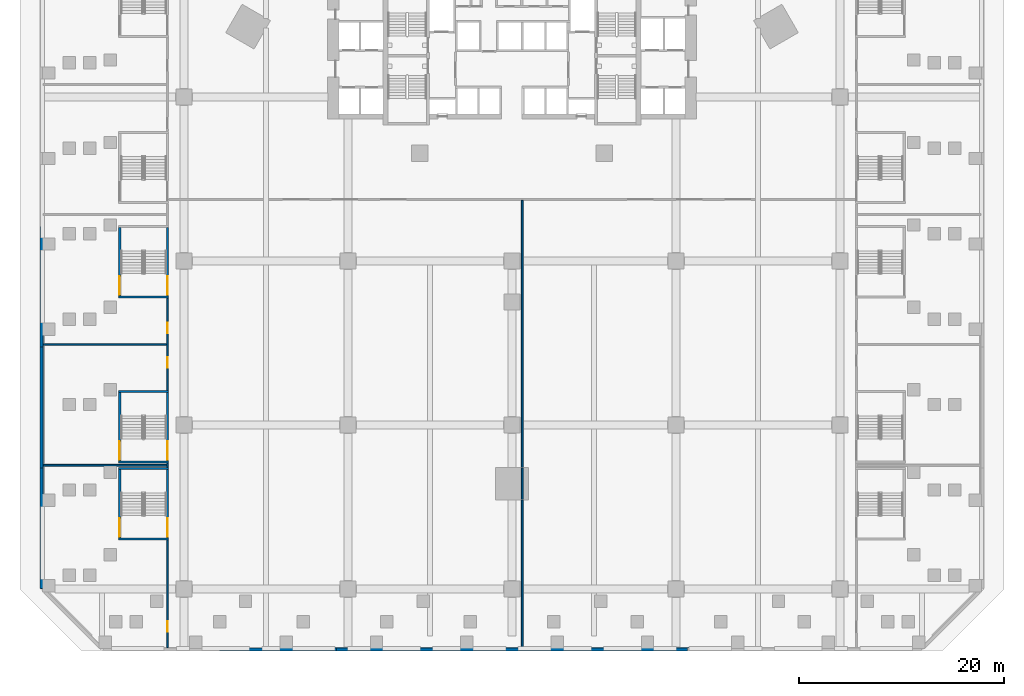
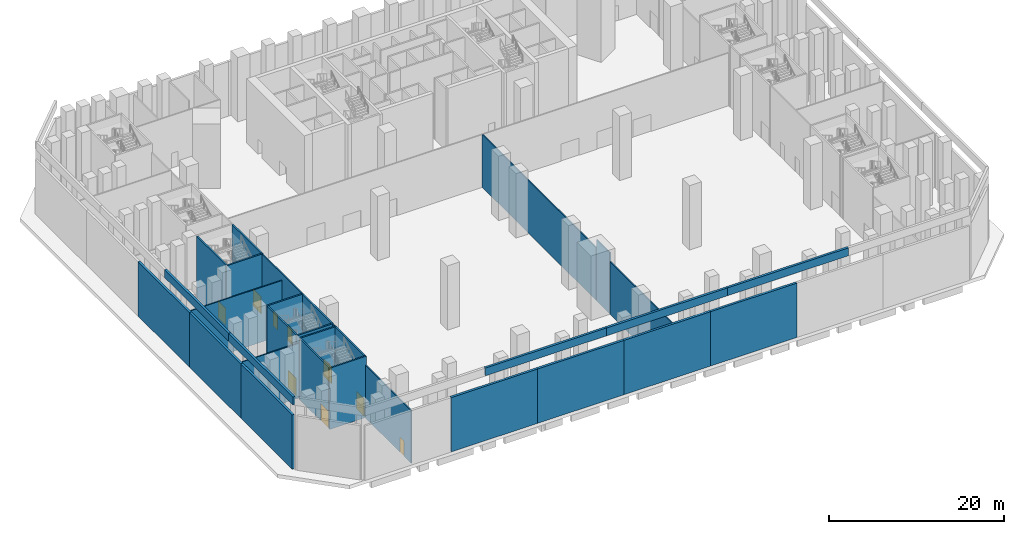
# One storey, part 5 of 25: 31 walls, 9 doors, 9 openings.
"""IFC4 building model written with IfcOpenShell, lengths in metres."""

from ifc_helpers import new_model, si_unit, direction, frame, frame_2d, origin, place, context, subcontext, project, spatial, rectangle, extrude, material, layer, layer_set, type_object, element, fill, save


model = new_model("IFC4")

# Units and contexts
model_context = context("Model", 3, precision=1e-05, world=origin(), true_north=direction((0.0, 1.0)))
body_context = subcontext(model_context, "Body", "Model", "MODEL_VIEW")
ifc_project = project(units=[si_unit("LENGTHUNIT", "METRE"), si_unit("AREAUNIT", "SQUARE_METRE"), si_unit("VOLUMEUNIT", "CUBIC_METRE"), si_unit("PLANEANGLEUNIT", "RADIAN"), si_unit("MASSUNIT", "GRAM", prefix="KILO")], contexts=[model_context])

# Site, building, storey
site_placement = place(None, origin())
site = spatial("IfcSite", under=ifc_project, at=site_placement, CompositionType="ELEMENT")
building_placement = place(site_placement, origin())
building = spatial("IfcBuilding", under=site, at=building_placement, Name="Calabash Gate Tower", CompositionType="ELEMENT")
storey_placement = place(building_placement, frame((0.0, 0.0, 20.0)))
storey = spatial("IfcBuildingStorey", under=building, at=storey_placement, Name="L02", CompositionType="ELEMENT", Elevation=20.0)

# Wall, opening, door
ifc_material_1 = material(Name="Gypsum board on steel studs, mineral wool", Category="steel")
ifc_layer_1 = layer(ifc_material_1, 0.14990234375)
ifc_layer_set_1 = layer_set([ifc_layer_1], Name="Partition 150 gypsum board")
wall_type_1 = type_object("IfcWallType", Name="Partition 150 gypsum board", PredefinedType="PARTITIONING", material=ifc_layer_set_1)
wall_1_placement = place(storey_placement, frame((-33.60009765625, -45.719970703125, 0.0), z_axis=(0.0, 0.0, 1.0), x_axis=(0.0, 1.0, 0.0)))
wall_1 = element("IfcWall", 1, at=wall_1_placement, inside=storey, type_object=wall_type_1, Name="Partition", PredefinedType="PARTITIONING", context=body_context, shape_type="SweptSolid", body=[
    extrude(rectangle(XDim=10.47998046875, YDim=0.14990234375, at=frame_2d((5.239990234375, 0.0))), origin(), (0.0, 0.0, 1.0), 7.35009765625),
])
opening_1_placement = place(wall_1_placement, frame((1.570068359375, 0.0, 0.0)))
opening_1 = element("IfcOpeningElement", 2, at=opening_1_placement, cuts=wall_1, Name="Opening L02-051", PredefinedType="OPENING", context=body_context, shape_type="SweptSolid", body=[
    extrude(rectangle(XDim=1.0, YDim=2.10009765625, at=frame_2d((0.5, 1.050048828125))), frame((0.0, 0.0849609375, 0.0), z_axis=(0.0, -1.0, 0.0), x_axis=(1.0, 0.0, 0.0)), (0.0, 0.0, 1.0), 0.169921875),
])
ifc_material_2 = material(Name="Steel fire door set with fire-resisting glazing", Category="steel")
door_type_1 = type_object("IfcDoorType", Name="Fire door D11 1000x2100 FD60", OperationType="NOTDEFINED", PredefinedType="DOOR", material=ifc_material_2)
door_1_placement = place(opening_1_placement, origin())
door_1 = element("IfcDoor", 3, at=door_1_placement, inside=storey, type_object=door_type_1, Name="Banquet Kitchen door", OperationType="SINGLE_SWING_LEFT", OverallHeight=2.10009765625, OverallWidth=1.0, PredefinedType="DOOR", context=body_context, shape_type="SweptSolid", body=[
    extrude(rectangle(XDim=1.0, YDim=2.10009765625, at=frame_2d((0.5, 1.050048828125))), frame((0.0, 0.02490234375, 0.0), z_axis=(0.0, -1.0, 0.0), x_axis=(1.0, 0.0, 0.0)), (0.0, 0.0, 1.0), 0.050048828125),
])
fill(opening_1, door_1)

# Walls
wall_2_placement = place(storey_placement, frame((1.0, -45.719970703125, 0.0), z_axis=(0.0, 0.0, 1.0), x_axis=(0.0, 1.0, 0.0)))
element("IfcWall", 4, at=wall_2_placement, inside=storey, type_object=wall_type_1, Name="Partition", PredefinedType="PARTITIONING", context=body_context, shape_type="SweptSolid", body=[
    extrude(rectangle(XDim=14.386962890625, YDim=0.14990234375, at=frame_2d((7.193359375, 0.0))), origin(), (0.0, 0.0, 1.0), 7.35009765625),
])
wall_3_placement = place(storey_placement, frame((1.0, -28.133056640625, 0.0), z_axis=(0.0, 0.0, 1.0), x_axis=(0.0, 1.0, 0.0)))
element("IfcWall", 5, at=wall_3_placement, inside=storey, type_object=wall_type_1, Name="Partition", PredefinedType="PARTITIONING", context=body_context, shape_type="SweptSolid", body=[
    extrude(rectangle(XDim=26.05810546875, YDim=0.14990234375, at=frame_2d((13.029052734375, 0.0))), origin(), (0.0, 0.0, 1.0), 7.35009765625),
])
wall_4_placement = place(storey_placement, frame((-33.60009765625, -28.110107421875, 0.0), z_axis=(0.0, 0.0, 1.0), x_axis=(0.0, 1.0, 0.0)))
element("IfcWall", 6, at=wall_4_placement, inside=storey, type_object=wall_type_1, Name="Partition", PredefinedType="PARTITIONING", context=body_context, shape_type="SweptSolid", body=[
    extrude(rectangle(XDim=0.3701171875, YDim=0.14990234375, at=frame_2d((0.18505859375, 0.0))), origin(), (0.0, 0.0, 1.0), 8.550048828125),
])
wall_5_placement = place(storey_placement, frame((-45.719970703125, -27.925048828125, 0.0), z_axis=(0.0, 0.0, 1.0), x_axis=(1.0, 0.0, 0.0)))
element("IfcWall", 7, at=wall_5_placement, inside=storey, type_object=wall_type_1, Name="Partition", PredefinedType="PARTITIONING", context=body_context, shape_type="SweptSolid", body=[
    extrude(rectangle(XDim=12.044921875, YDim=0.14990234375, at=frame_2d((6.0224609375, 0.0))), origin(), (0.0, 0.0, 1.0), 7.64990234375),
])

# Wall, openings, doors
wall_6_placement = place(storey_placement, frame((-33.60009765625, -20.610107421875, 0.0), z_axis=(0.0, 0.0, 1.0), x_axis=(0.0, 1.0, 0.0)))
wall_6 = element("IfcWall", 8, at=wall_6_placement, inside=storey, type_object=wall_type_1, Name="Partition", PredefinedType="PARTITIONING", context=body_context, shape_type="SweptSolid", body=[
    extrude(rectangle(XDim=8.97021484375, YDim=0.14990234375, at=frame_2d((4.485107421875, 0.0))), origin(), (0.0, 0.0, 1.0), 8.550048828125),
])
opening_2_placement = place(wall_6_placement, frame((2.2109375, 0.0, 0.0)))
opening_2 = element("IfcOpeningElement", 9, at=opening_2_placement, cuts=wall_6, Name="Opening L02-052", PredefinedType="OPENING", context=body_context, shape_type="SweptSolid", body=[
    extrude(rectangle(XDim=1.0, YDim=2.10009765625, at=frame_2d((0.5, 1.050048828125))), frame((0.0, 0.0849609375, 0.0), z_axis=(0.0, -1.0, 0.0), x_axis=(1.0, 0.0, 0.0)), (0.0, 0.0, 1.0), 0.169921875),
])
opening_3_placement = place(wall_6_placement, frame((5.5849609375, 0.0, 0.0)))
opening_3 = element("IfcOpeningElement", 10, at=opening_3_placement, cuts=wall_6, Name="Opening L02-053", PredefinedType="OPENING", context=body_context, shape_type="SweptSolid", body=[
    extrude(rectangle(XDim=1.0, YDim=2.10009765625, at=frame_2d((0.5, 1.050048828125))), frame((0.0, 0.0849609375, 0.0), z_axis=(0.0, -1.0, 0.0), x_axis=(1.0, 0.0, 0.0)), (0.0, 0.0, 1.0), 0.169921875),
])
door_2_placement = place(opening_2_placement, origin())
door_2 = element("IfcDoor", 11, at=door_2_placement, inside=storey, type_object=door_type_1, Name="Banquet Store door", OperationType="SINGLE_SWING_LEFT", OverallHeight=2.10009765625, OverallWidth=1.0, PredefinedType="DOOR", context=body_context, shape_type="SweptSolid", body=[
    extrude(rectangle(XDim=1.0, YDim=2.10009765625, at=frame_2d((0.5, 1.050048828125))), frame((0.0, 0.02490234375, 0.0), z_axis=(0.0, -1.0, 0.0), x_axis=(1.0, 0.0, 0.0)), (0.0, 0.0, 1.0), 0.050048828125),
])
fill(opening_2, door_2)
door_3_placement = place(opening_3_placement, origin())
door_3 = element("IfcDoor", 12, at=door_3_placement, inside=storey, type_object=door_type_1, Name="Dish Wash Room door", OperationType="SINGLE_SWING_RIGHT", OverallHeight=2.10009765625, OverallWidth=1.0, PredefinedType="DOOR", context=body_context, shape_type="SweptSolid", body=[
    extrude(rectangle(XDim=1.0, YDim=2.10009765625, at=frame_2d((0.5, 1.050048828125))), frame((0.0, 0.02490234375, 0.0), z_axis=(0.0, -1.0, 0.0), x_axis=(1.0, 0.0, 0.0)), (0.0, 0.0, 1.0), 0.050048828125),
])
fill(opening_3, door_3)

# Walls
wall_7_placement = place(storey_placement, frame((-45.719970703125, -16.125, 0.0), z_axis=(0.0, 0.0, 1.0), x_axis=(1.0, 0.0, 0.0)))
element("IfcWall", 13, at=wall_7_placement, inside=storey, type_object=wall_type_1, Name="Partition", PredefinedType="PARTITIONING", context=body_context, shape_type="SweptSolid", body=[
    extrude(rectangle(XDim=12.044921875, YDim=0.14990234375, at=frame_2d((6.0224609375, 0.0))), origin(), (0.0, 0.0, 1.0), 7.64990234375),
])
wall_8_placement = place(storey_placement, frame((1.0, -31.2529296875, 0.0), z_axis=(0.0, 0.0, 1.0), x_axis=(0.0, 1.0, 0.0)))
element("IfcWall", 14, at=wall_8_placement, inside=storey, type_object=wall_type_1, Name="Partition", PredefinedType="PARTITIONING", context=body_context, shape_type="SweptSolid", body=[
    extrude(rectangle(XDim=3.0400390625, YDim=0.14990234375, at=frame_2d((1.52001953125, 0.0))), origin(), (0.0, 0.0, 1.0), 8.550048828125),
])
ifc_material_3 = material(Name="Terracotta brick masonry, exposed face", Category="masonry")
ifc_layer_2 = layer(ifc_material_3, 0.300048828125)
ifc_layer_set_2 = layer_set([ifc_layer_2], Name="Podium brick wall 300")
wall_type_2 = type_object("IfcWallType", Name="Podium brick wall 300", PredefinedType="SOLIDWALL", material=ifc_layer_set_2)
for number, where, z_axis, x_axis, name in (
    (15, (-28.53564453125, -45.89990234375, 0.0), (0.0, 0.0, 1.0), (1.0, 0.0, 0.0), "Podium brick wall L02 0.0.1"),
    (16, (-17.121337890625, -45.89990234375, 0.0), (0.0, 0.0, 1.0), (1.0, 0.0, 0.0), "Podium brick wall L02 0.0.2"),
):
    element("IfcWall", number, at=place(storey_placement, frame(where, z_axis=z_axis, x_axis=x_axis)), inside=storey, type_object=wall_type_2, Name=name, PredefinedType="SOLIDWALL", context=body_context, shape_type="SweptSolid", body=[
        extrude(rectangle(XDim=11.414306640625, YDim=0.300048828125, at=frame_2d((5.70703125, 0.0))), origin(), (0.0, 0.0, 1.0), 7.60009765625),
    ])
wall_9_placement = place(storey_placement, frame((-5.70703125, -45.89990234375, 0.0), z_axis=(0.0, 0.0, 1.0), x_axis=(1.0, 0.0, 0.0)))
element("IfcWall", 17, at=wall_9_placement, inside=storey, type_object=wall_type_2, Name="Podium brick wall L02 0.0.3", PredefinedType="SOLIDWALL", context=body_context, shape_type="SweptSolid", body=[
    extrude(rectangle(XDim=11.4140625, YDim=0.300048828125, at=frame_2d((5.70703125, 0.0))), origin(), (0.0, 0.0, 1.0), 7.60009765625),
])
wall_10_placement = place(storey_placement, frame((5.70703125, -45.89990234375, 0.0), z_axis=(0.0, 0.0, 1.0), x_axis=(1.0, 0.0, 0.0)))
element("IfcWall", 18, at=wall_10_placement, inside=storey, type_object=wall_type_2, Name="Podium brick wall L02 0.0.4", PredefinedType="SOLIDWALL", context=body_context, shape_type="SweptSolid", body=[
    extrude(rectangle(XDim=11.414306640625, YDim=0.300048828125, at=frame_2d((5.70703125, 0.0))), origin(), (0.0, 0.0, 1.0), 7.60009765625),
])
wall_11_placement = place(storey_placement, frame((-45.89990234375, -4.610107421875, 0.0), z_axis=(0.0, 0.0, 1.0), x_axis=(0.0, -1.0, 0.0)))
element("IfcWall", 19, at=wall_11_placement, inside=storey, type_object=wall_type_2, Name="Podium brick wall L02 6.0.2", PredefinedType="SOLIDWALL", context=body_context, shape_type="SweptSolid", body=[
    extrude(rectangle(XDim=11.77978515625, YDim=0.300048828125, at=frame_2d((5.889892578125, 0.0))), origin(), (0.0, 0.0, 1.0), 7.60009765625),
])
for number, where, z_axis, x_axis, name in (
    (20, (-45.89990234375, -16.389892578125, 0.0), (0.0, 0.0, 1.0), (0.0, -1.0, 0.0), "Podium brick wall L02 6.0.3"),
    (21, (-45.89990234375, -28.169921875, 0.0), (0.0, 0.0, 1.0), (0.0, -1.0, 0.0), "Podium brick wall L02 6.0.4"),
):
    element("IfcWall", number, at=place(storey_placement, frame(where, z_axis=z_axis, x_axis=x_axis)), inside=storey, type_object=wall_type_2, Name=name, PredefinedType="SOLIDWALL", context=body_context, shape_type="SweptSolid", body=[
        extrude(rectangle(XDim=11.780029296875, YDim=0.300048828125, at=frame_2d((5.89013671875, 0.0))), origin(), (0.0, 0.0, 1.0), 7.60009765625),
    ])
ifc_material_4 = material(Name="Terracotta brick masonry, exposed face", Category="masonry")
ifc_layer_3 = layer(ifc_material_4, 0.300048828125)
ifc_layer_set_3 = layer_set([ifc_layer_3], Name="Podium parapet wall 300")
wall_type_3 = type_object("IfcWallType", Name="Podium parapet wall 300", PredefinedType="PARAPET", material=ifc_layer_set_3)
for number, where, z_axis, x_axis, name in (
    (22, (-24.0, -45.85009765625, 9.0), (0.0, 0.0, 1.0), (1.0, 0.0, 0.0), "Podium parapet L02 0.0.1"),
    (23, (-8.0, -45.85009765625, 9.0), (0.0, 0.0, 1.0), (1.0, 0.0, 0.0), "Podium parapet L02 0.0.2"),
    (24, (8.0, -45.85009765625, 9.0), (0.0, 0.0, 1.0), (1.0, 0.0, 0.0), "Podium parapet L02 0.0.3"),
):
    element("IfcWall", number, at=place(storey_placement, frame(where, z_axis=z_axis, x_axis=x_axis)), inside=storey, type_object=wall_type_3, Name=name, PredefinedType="PARAPET", context=body_context, shape_type="SweptSolid", body=[
        extrude(rectangle(XDim=16.0, YDim=0.300048828125, at=frame_2d((8.0, 0.0))), origin(), (0.0, 0.0, 1.0), 1.10009765625),
    ])
for number, where, z_axis, x_axis, name in (
    (25, (-45.85009765625, -10.60498046875, 9.0), (0.0, 0.0, 1.0), (0.0, -1.0, 0.0), "Podium parapet L02 6.0.2"),
    (26, (-45.85009765625, -25.302490234375, 9.0), (0.0, 0.0, 1.0), (0.0, -1.0, 0.0), "Podium parapet L02 6.0.3"),
):
    element("IfcWall", number, at=place(storey_placement, frame(where, z_axis=z_axis, x_axis=x_axis)), inside=storey, type_object=wall_type_3, Name=name, PredefinedType="PARAPET", context=body_context, shape_type="SweptSolid", body=[
        extrude(rectangle(XDim=14.697509765625, YDim=0.300048828125, at=frame_2d((7.3486328125, 0.0))), origin(), (0.0, 0.0, 1.0), 1.10009765625),
    ])
ifc_material_5 = material(Name="Concrete C40/50", Category="concrete")
ifc_layer_4 = layer(ifc_material_5, 0.199951171875)
ifc_layer_set_4 = layer_set([ifc_layer_4], Name="Stair wall 200 Concrete C40/50")
wall_type_4 = type_object("IfcWallType", Name="Stair wall 200 Concrete C40/50", PredefinedType="SOLIDWALL", material=ifc_layer_set_4)
for number, where, z_axis, x_axis, name in (
    (27, (-38.3701171875, -35.10009765625, 0.0), (0.0, 0.0, 1.0), (1.0, 0.0, 0.0), "Stair wall"),
    (28, (-38.3701171875, -28.25, 0.0), (0.0, 0.0, 1.0), (1.0, 0.0, 0.0), "Stair wall"),
):
    element("IfcWall", number, at=place(storey_placement, frame(where, z_axis=z_axis, x_axis=x_axis)), inside=storey, type_object=wall_type_4, Name=name, PredefinedType="SOLIDWALL", context=body_context, shape_type="SweptSolid", body=[
        extrude(rectangle(XDim=4.8701171875, YDim=0.199951171875, at=frame_2d((2.43505859375, 0.0))), origin(), (0.0, 0.0, 1.0), 8.550048828125),
    ])

# Wall, opening, door
wall_12_placement = place(storey_placement, frame((-38.27001953125, -35.0, 0.0), z_axis=(0.0, 0.0, 1.0), x_axis=(0.0, 1.0, 0.0)))
wall_12 = element("IfcWall", 29, at=wall_12_placement, inside=storey, type_object=wall_type_4, Name="Stair wall", PredefinedType="SOLIDWALL", context=body_context, shape_type="SweptSolid", body=[
    extrude(rectangle(XDim=6.64990234375, YDim=0.199951171875, at=frame_2d((3.324951171875, 0.0))), origin(), (0.0, 0.0, 1.0), 8.550048828125),
])
opening_4_placement = place(wall_12_placement, frame((0.10009765625, 0.0, 0.0)))
opening_4 = element("IfcOpeningElement", 30, at=opening_4_placement, cuts=wall_12, Name="Opening L02-020", PredefinedType="OPENING", context=body_context, shape_type="SweptSolid", body=[
    extrude(rectangle(XDim=1.800048828125, YDim=2.39990234375, at=frame_2d((0.89990234375, 1.199951171875))), frame((0.0, 0.10986328125, 0.0), z_axis=(0.0, -1.0, 0.0), x_axis=(1.0, 0.0, 0.0)), (0.0, 0.0, 1.0), 0.219970703125),
])
ifc_material_6 = material(Name="Steel fire door set with fire-resisting glazing", Category="steel")
door_type_2 = type_object("IfcDoorType", Name="Double fire door D16 1800x2400 FD90", OperationType="DOUBLE_DOOR_SINGLE_SWING", PredefinedType="DOOR", material=ifc_material_6)
door_4_placement = place(opening_4_placement, origin())
door_4 = element("IfcDoor", 31, at=door_4_placement, inside=storey, type_object=door_type_2, Name="Exit stair door PS1", OperationType="DOUBLE_DOOR_SINGLE_SWING", OverallHeight=2.39990234375, OverallWidth=1.800048828125, PredefinedType="DOOR", context=body_context, shape_type="SweptSolid", body=[
    extrude(rectangle(XDim=1.800048828125, YDim=2.39990234375, at=frame_2d((0.89990234375, 1.199951171875))), frame((0.0, 0.02490234375, 0.0), z_axis=(0.0, -1.0, 0.0), x_axis=(1.0, 0.0, 0.0)), (0.0, 0.0, 1.0), 0.050048828125),
])
fill(opening_4, door_4)

wall_13_placement = place(storey_placement, frame((-33.60009765625, -35.0, 0.0), z_axis=(0.0, 0.0, 1.0), x_axis=(0.0, 1.0, 0.0)))
wall_13 = element("IfcWall", 32, at=wall_13_placement, inside=storey, type_object=wall_type_4, Name="Stair wall", PredefinedType="SOLIDWALL", context=body_context, shape_type="SweptSolid", body=[
    extrude(rectangle(XDim=6.64990234375, YDim=0.199951171875, at=frame_2d((3.324951171875, 0.0))), origin(), (0.0, 0.0, 1.0), 8.550048828125),
])
opening_5_placement = place(wall_13_placement, frame((0.10009765625, 0.0, 0.0)))
opening_5 = element("IfcOpeningElement", 33, at=opening_5_placement, cuts=wall_13, Name="Opening L02-019", PredefinedType="OPENING", context=body_context, shape_type="SweptSolid", body=[
    extrude(rectangle(XDim=1.800048828125, YDim=2.39990234375, at=frame_2d((0.89990234375, 1.199951171875))), frame((0.0, 0.10986328125, 0.0), z_axis=(0.0, -1.0, 0.0), x_axis=(1.0, 0.0, 0.0)), (0.0, 0.0, 1.0), 0.219970703125),
])
door_5_placement = place(opening_5_placement, origin())
door_5 = element("IfcDoor", 34, at=door_5_placement, inside=storey, type_object=door_type_2, Name="Exit stair door PS1", OperationType="DOUBLE_DOOR_SINGLE_SWING", OverallHeight=2.39990234375, OverallWidth=1.800048828125, PredefinedType="DOOR", context=body_context, shape_type="SweptSolid", body=[
    extrude(rectangle(XDim=1.800048828125, YDim=2.39990234375, at=frame_2d((0.89990234375, 1.199951171875))), frame((0.0, 0.02490234375, 0.0), z_axis=(0.0, -1.0, 0.0), x_axis=(1.0, 0.0, 0.0)), (0.0, 0.0, 1.0), 0.050048828125),
])
fill(opening_5, door_5)

# Walls
for number, where, z_axis, x_axis, name in (
    (35, (-38.3701171875, -27.60009765625, 0.0), (0.0, 0.0, 1.0), (1.0, 0.0, 0.0), "Stair wall"),
    (36, (-38.3701171875, -20.75, 0.0), (0.0, 0.0, 1.0), (1.0, 0.0, 0.0), "Stair wall"),
):
    element("IfcWall", number, at=place(storey_placement, frame(where, z_axis=z_axis, x_axis=x_axis)), inside=storey, type_object=wall_type_4, Name=name, PredefinedType="SOLIDWALL", context=body_context, shape_type="SweptSolid", body=[
        extrude(rectangle(XDim=4.8701171875, YDim=0.199951171875, at=frame_2d((2.43505859375, 0.0))), origin(), (0.0, 0.0, 1.0), 8.550048828125),
    ])

# Wall, opening, door
wall_14_placement = place(storey_placement, frame((-38.27001953125, -27.5, 0.0), z_axis=(0.0, 0.0, 1.0), x_axis=(0.0, 1.0, 0.0)))
wall_14 = element("IfcWall", 37, at=wall_14_placement, inside=storey, type_object=wall_type_4, Name="Stair wall", PredefinedType="SOLIDWALL", context=body_context, shape_type="SweptSolid", body=[
    extrude(rectangle(XDim=6.64990234375, YDim=0.199951171875, at=frame_2d((3.324951171875, 0.0))), origin(), (0.0, 0.0, 1.0), 8.550048828125),
])
opening_6_placement = place(wall_14_placement, frame((0.10009765625, 0.0, 0.0)))
opening_6 = element("IfcOpeningElement", 38, at=opening_6_placement, cuts=wall_14, Name="Opening L02-022", PredefinedType="OPENING", context=body_context, shape_type="SweptSolid", body=[
    extrude(rectangle(XDim=1.800048828125, YDim=2.39990234375, at=frame_2d((0.89990234375, 1.199951171875))), frame((0.0, 0.10986328125, 0.0), z_axis=(0.0, -1.0, 0.0), x_axis=(1.0, 0.0, 0.0)), (0.0, 0.0, 1.0), 0.219970703125),
])
door_6_placement = place(opening_6_placement, origin())
door_6 = element("IfcDoor", 39, at=door_6_placement, inside=storey, type_object=door_type_2, Name="Exit stair door PS2", OperationType="DOUBLE_DOOR_SINGLE_SWING", OverallHeight=2.39990234375, OverallWidth=1.800048828125, PredefinedType="DOOR", context=body_context, shape_type="SweptSolid", body=[
    extrude(rectangle(XDim=1.800048828125, YDim=2.39990234375, at=frame_2d((0.89990234375, 1.199951171875))), frame((0.0, 0.02490234375, 0.0), z_axis=(0.0, -1.0, 0.0), x_axis=(1.0, 0.0, 0.0)), (0.0, 0.0, 1.0), 0.050048828125),
])
fill(opening_6, door_6)

wall_15_placement = place(storey_placement, frame((-33.60009765625, -27.5, 0.0), z_axis=(0.0, 0.0, 1.0), x_axis=(0.0, 1.0, 0.0)))
wall_15 = element("IfcWall", 40, at=wall_15_placement, inside=storey, type_object=wall_type_4, Name="Stair wall", PredefinedType="SOLIDWALL", context=body_context, shape_type="SweptSolid", body=[
    extrude(rectangle(XDim=6.64990234375, YDim=0.199951171875, at=frame_2d((3.324951171875, 0.0))), origin(), (0.0, 0.0, 1.0), 8.550048828125),
])
opening_7_placement = place(wall_15_placement, frame((0.10009765625, 0.0, 0.0)))
opening_7 = element("IfcOpeningElement", 41, at=opening_7_placement, cuts=wall_15, Name="Opening L02-021", PredefinedType="OPENING", context=body_context, shape_type="SweptSolid", body=[
    extrude(rectangle(XDim=1.800048828125, YDim=2.39990234375, at=frame_2d((0.89990234375, 1.199951171875))), frame((0.0, 0.10986328125, 0.0), z_axis=(0.0, -1.0, 0.0), x_axis=(1.0, 0.0, 0.0)), (0.0, 0.0, 1.0), 0.219970703125),
])
door_7_placement = place(opening_7_placement, origin())
door_7 = element("IfcDoor", 42, at=door_7_placement, inside=storey, type_object=door_type_2, Name="Exit stair door PS2", OperationType="DOUBLE_DOOR_SINGLE_SWING", OverallHeight=2.39990234375, OverallWidth=1.800048828125, PredefinedType="DOOR", context=body_context, shape_type="SweptSolid", body=[
    extrude(rectangle(XDim=1.800048828125, YDim=2.39990234375, at=frame_2d((0.89990234375, 1.199951171875))), frame((0.0, 0.02490234375, 0.0), z_axis=(0.0, -1.0, 0.0), x_axis=(1.0, 0.0, 0.0)), (0.0, 0.0, 1.0), 0.050048828125),
])
fill(opening_7, door_7)

# Wall
wall_16_placement = place(storey_placement, frame((-38.3701171875, -11.5, 0.0), z_axis=(0.0, 0.0, 1.0), x_axis=(1.0, 0.0, 0.0)))
element("IfcWall", 43, at=wall_16_placement, inside=storey, type_object=wall_type_4, Name="Stair wall", PredefinedType="SOLIDWALL", context=body_context, shape_type="SweptSolid", body=[
    extrude(rectangle(XDim=4.8701171875, YDim=0.199951171875, at=frame_2d((2.43505859375, 0.0))), origin(), (0.0, 0.0, 1.0), 8.550048828125),
])

# Wall, opening, door
wall_17_placement = place(storey_placement, frame((-38.27001953125, -11.39990234375, 0.0), z_axis=(0.0, 0.0, 1.0), x_axis=(0.0, 1.0, 0.0)))
wall_17 = element("IfcWall", 44, at=wall_17_placement, inside=storey, type_object=wall_type_4, Name="Stair wall", PredefinedType="SOLIDWALL", context=body_context, shape_type="SweptSolid", body=[
    extrude(rectangle(XDim=6.64990234375, YDim=0.199951171875, at=frame_2d((3.324951171875, 0.0))), origin(), (0.0, 0.0, 1.0), 8.550048828125),
])
opening_8_placement = place(wall_17_placement, frame((0.10009765625, 0.0, 0.0)))
opening_8 = element("IfcOpeningElement", 45, at=opening_8_placement, cuts=wall_17, Name="Opening L02-024", PredefinedType="OPENING", context=body_context, shape_type="SweptSolid", body=[
    extrude(rectangle(XDim=1.800048828125, YDim=2.39990234375, at=frame_2d((0.89990234375, 1.199951171875))), frame((0.0, 0.10986328125, 0.0), z_axis=(0.0, -1.0, 0.0), x_axis=(1.0, 0.0, 0.0)), (0.0, 0.0, 1.0), 0.219970703125),
])
door_8_placement = place(opening_8_placement, origin())
door_8 = element("IfcDoor", 46, at=door_8_placement, inside=storey, type_object=door_type_2, Name="Exit stair door PS3", OperationType="DOUBLE_DOOR_SINGLE_SWING", OverallHeight=2.39990234375, OverallWidth=1.800048828125, PredefinedType="DOOR", context=body_context, shape_type="SweptSolid", body=[
    extrude(rectangle(XDim=1.800048828125, YDim=2.39990234375, at=frame_2d((0.89990234375, 1.199951171875))), frame((0.0, 0.02490234375, 0.0), z_axis=(0.0, -1.0, 0.0), x_axis=(1.0, 0.0, 0.0)), (0.0, 0.0, 1.0), 0.050048828125),
])
fill(opening_8, door_8)

wall_18_placement = place(storey_placement, frame((-33.60009765625, -11.39990234375, 0.0), z_axis=(0.0, 0.0, 1.0), x_axis=(0.0, 1.0, 0.0)))
wall_18 = element("IfcWall", 47, at=wall_18_placement, inside=storey, type_object=wall_type_4, Name="Stair wall", PredefinedType="SOLIDWALL", context=body_context, shape_type="SweptSolid", body=[
    extrude(rectangle(XDim=6.64990234375, YDim=0.199951171875, at=frame_2d((3.324951171875, 0.0))), origin(), (0.0, 0.0, 1.0), 8.550048828125),
])
opening_9_placement = place(wall_18_placement, frame((0.10009765625, 0.0, 0.0)))
opening_9 = element("IfcOpeningElement", 48, at=opening_9_placement, cuts=wall_18, Name="Opening L02-023", PredefinedType="OPENING", context=body_context, shape_type="SweptSolid", body=[
    extrude(rectangle(XDim=1.800048828125, YDim=2.39990234375, at=frame_2d((0.89990234375, 1.199951171875))), frame((0.0, 0.10986328125, 0.0), z_axis=(0.0, -1.0, 0.0), x_axis=(1.0, 0.0, 0.0)), (0.0, 0.0, 1.0), 0.219970703125),
])
door_9_placement = place(opening_9_placement, origin())
door_9 = element("IfcDoor", 49, at=door_9_placement, inside=storey, type_object=door_type_2, Name="Exit stair door PS3", OperationType="DOUBLE_DOOR_SINGLE_SWING", OverallHeight=2.39990234375, OverallWidth=1.800048828125, PredefinedType="DOOR", context=body_context, shape_type="SweptSolid", body=[
    extrude(rectangle(XDim=1.800048828125, YDim=2.39990234375, at=frame_2d((0.89990234375, 1.199951171875))), frame((0.0, 0.02490234375, 0.0), z_axis=(0.0, -1.0, 0.0), x_axis=(1.0, 0.0, 0.0)), (0.0, 0.0, 1.0), 0.050048828125),
])
fill(opening_9, door_9)

save(model, "model.ifc")
